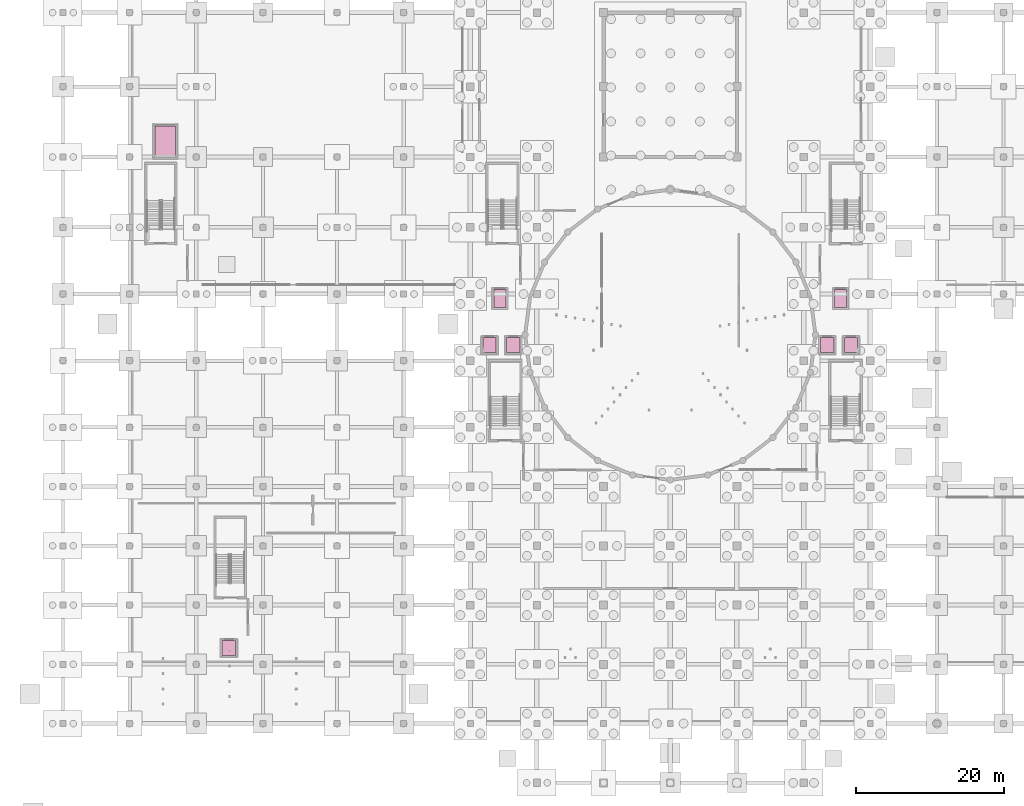
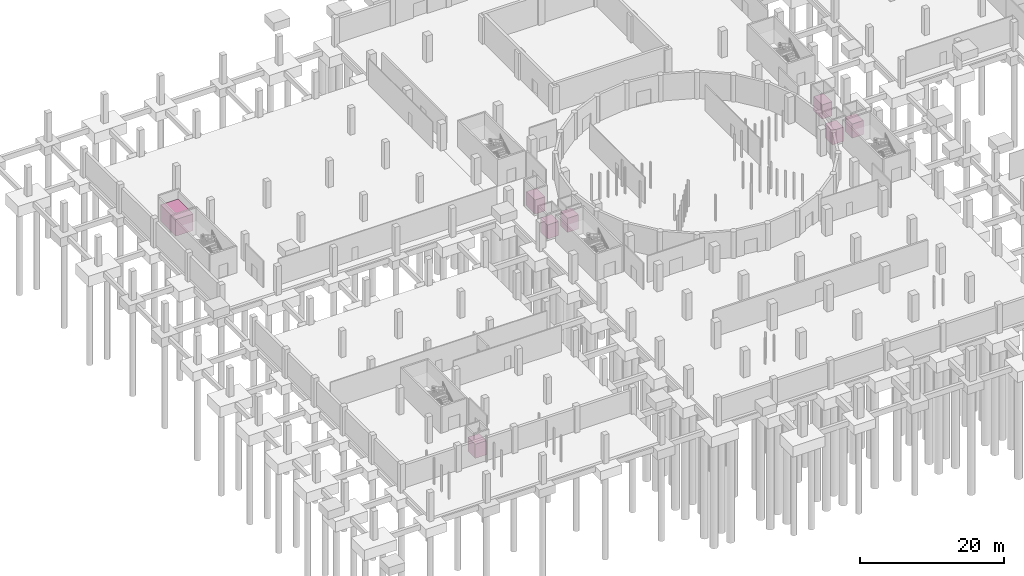
# One storey, part 40 of 40: 8 transport elements.
"""IFC4 building model written with IfcOpenShell, lengths in metres."""

from ifc_helpers import new_model, si_unit, direction, frame, origin, origin_2d, place, context, subcontext, project, spatial, rectangle, extrude, material, type_object, element, save


model = new_model("IFC4")

# Units and contexts
model_context = context("Model", 3, precision=1e-05, world=origin(), true_north=direction((0.0, 1.0)))
body_context = subcontext(model_context, "Body", "Model", "MODEL_VIEW")
ifc_project = project(units=[si_unit("LENGTHUNIT", "METRE"), si_unit("AREAUNIT", "SQUARE_METRE"), si_unit("VOLUMEUNIT", "CUBIC_METRE"), si_unit("PLANEANGLEUNIT", "RADIAN"), si_unit("MASSUNIT", "GRAM", prefix="KILO")], contexts=[model_context])

# Site, building, storey
site_placement = place(None, origin())
site = spatial("IfcSite", under=ifc_project, at=site_placement, CompositionType="ELEMENT")
building_placement = place(site_placement, origin())
building = spatial("IfcBuilding", under=site, at=building_placement, Name="Marnock Terrace Opera House", CompositionType="ELEMENT")
storey_placement = place(building_placement, frame((0.0, 0.0, -4.800048828125)))
storey = spatial("IfcBuildingStorey", under=building, at=storey_placement, Name="B1", CompositionType="ELEMENT", Elevation=-4.800048828125)

# Transport elements
ifc_material = material(Name="Brushed stainless steel landing door assembly", Category="steel")
transport_element_type_1 = type_object("IfcTransportElementType", Name="LIFT-EMERG-1600", PredefinedType="ELEVATOR", material=ifc_material)
for number, where, z_axis, x_axis, name in (
    (1, (59.0, 65.39990234375, 0.050048828125), (0.0, 0.0, 1.0), (1.0, 0.0, 0.0), "Lift EL-01 (Emergency stretcher lift)"),
    (2, (105.0, 65.39990234375, 0.050048828125), (0.0, 0.0, 1.0), (1.0, 0.0, 0.0), "Lift EL-02 (Emergency stretcher lift)"),
):
    element("IfcTransportElement", number, at=place(storey_placement, frame(where, z_axis=z_axis, x_axis=x_axis)), inside=storey, type_object=transport_element_type_1, Name=name, PredefinedType="ELEVATOR", context=body_context, shape_type="SweptSolid", body=[
        extrude(rectangle(XDim=1.60009765625, YDim=2.39990234375, at=origin_2d()), origin(), (0.0, 0.0, 1.0), 2.39990234375),
    ])
transport_element_type_2 = type_object("IfcTransportElementType", Name="LIFT-GOODS-2800", PredefinedType="ELEVATOR", material=ifc_material)
transport_element_placement = place(storey_placement, frame((13.800048828125, 86.60009765625, 0.0498046875), z_axis=(0.0, 0.0, 1.0), x_axis=(1.0, 0.0, 0.0)))
element("IfcTransportElement", 3, at=transport_element_placement, inside=storey, type_object=transport_element_type_2, Name="Lift GL-01 (Passenger/Goods lift)", PredefinedType="ELEVATOR", context=body_context, shape_type="SweptSolid", body=[
    extrude(rectangle(XDim=2.800048828125, YDim=4.199951171875, at=origin_2d()), origin(), (0.0, 0.0, 1.0), 2.800048828125),
])
transport_element_type_3 = type_object("IfcTransportElementType", Name="LIFT-PASS-1800", PredefinedType="ELEVATOR", material=ifc_material)
for number, where, z_axis, x_axis, name in (
    (4, (57.60009765625, 59.10009765625, 0.050048828125), (0.0, 0.0, 1.0), (1.0, 0.0, 0.0), "Lift PL-01 (Passenger/Goods lift)"),
    (5, (60.800048828125, 59.10009765625, 0.050048828125), (0.0, 0.0, 1.0), (1.0, 0.0, 0.0), "Lift PL-02 (Passenger/Goods lift)"),
    (6, (103.199951171875, 59.10009765625, 0.050048828125), (0.0, 0.0, 1.0), (1.0, 0.0, 0.0), "Lift PL-03 (Passenger/Goods lift)"),
    (7, (106.39990234375, 59.10009765625, 0.050048828125), (0.0, 0.0, 1.0), (1.0, 0.0, 0.0), "Lift PL-04 (Passenger/Goods lift)"),
    (8, (22.39990234375, 18.199951171875, 0.050048828125), (0.0, 0.0, 1.0), (1.0, 0.0, 0.0), "Lift PL-05 (Passenger/Goods lift)"),
):
    element("IfcTransportElement", number, at=place(storey_placement, frame(where, z_axis=z_axis, x_axis=x_axis)), inside=storey, type_object=transport_element_type_3, Name=name, PredefinedType="ELEVATOR", context=body_context, shape_type="SweptSolid", body=[
        extrude(rectangle(XDim=1.800048828125, YDim=2.0, at=origin_2d()), origin(), (0.0, 0.0, 1.0), 2.39990234375),
    ])

save(model, "model.ifc")
